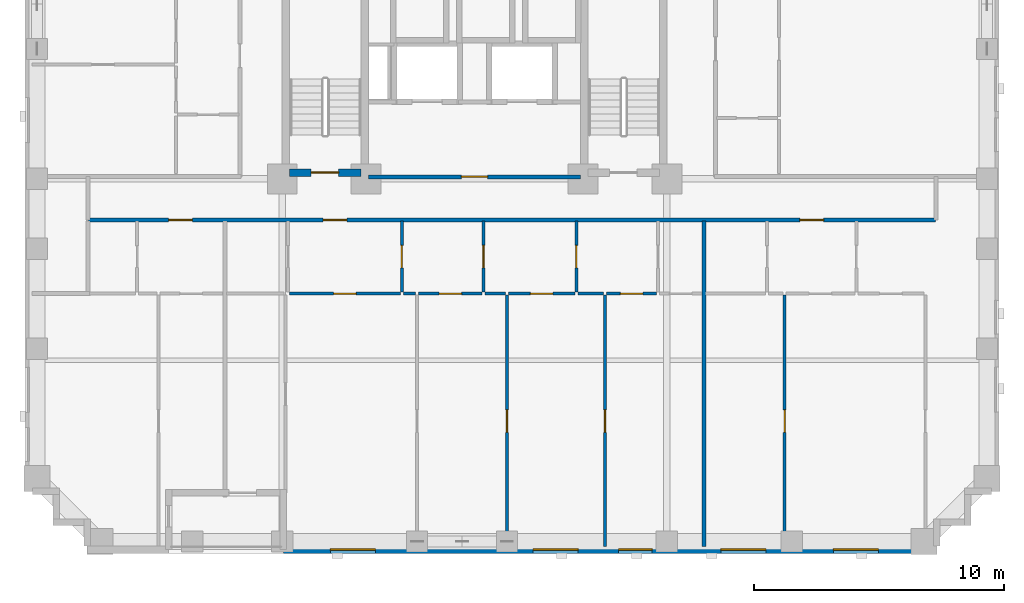
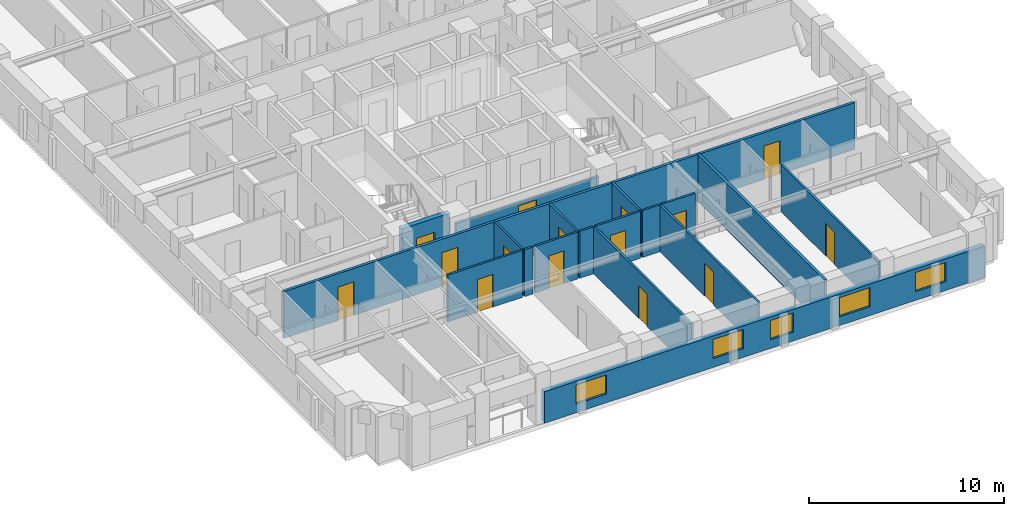
# One storey, part 3 of 14: 18 walls, 15 doors, 5 windows, 20 openings.
"""IFC4 building model written with IfcOpenShell, lengths in metres."""

from ifc_helpers import new_model, si_unit, derived_unit, direction, frame, frame_2d, origin, place, context, subcontext, project, spatial, rectangle, extrude, material, layer, layer_set, type_object, element, fill, save


model = new_model("IFC4")

# Units and contexts
model_context = context("Model", 3, precision=1e-05, world=origin(), true_north=direction((0.0, 1.0)))
body_context = subcontext(model_context, "Body", "Model", "MODEL_VIEW")
ifc_project = project(units=[si_unit("LENGTHUNIT", "METRE"), si_unit("AREAUNIT", "SQUARE_METRE"), si_unit("VOLUMEUNIT", "CUBIC_METRE"), si_unit("PLANEANGLEUNIT", "RADIAN"), si_unit("MASSUNIT", "GRAM", prefix="KILO"), derived_unit("THERMALTRANSMITTANCEUNIT", [(si_unit("MASSUNIT", "GRAM", prefix="KILO"), 1), (si_unit("TIMEUNIT", "SECOND"), -3), (si_unit("THERMODYNAMICTEMPERATUREUNIT", "KELVIN"), -1)])], contexts=[model_context])

# Site, building, storey
site_placement = place(None, origin())
site = spatial("IfcSite", under=ifc_project, at=site_placement, CompositionType="ELEMENT")
building_placement = place(site_placement, origin())
building = spatial("IfcBuilding", under=site, at=building_placement, Name="Korrvale Station Residences", CompositionType="ELEMENT")
storey_placement = place(building_placement, frame((0.0, 0.0, 51.39990234375)))
storey = spatial("IfcBuildingStorey", under=building, at=storey_placement, Name="L13", CompositionType="ELEMENT", Elevation=51.39990234375)

# Wall, opening, door
ifc_material_1 = material(Name="Concrete C70/85", Category="concrete")
ifc_layer_1 = layer(ifc_material_1, 0.300048828125, Name="Concrete C70/85")
ifc_layer_set_1 = layer_set([ifc_layer_1], Name="Concrete C70/85")
wall_type_1 = type_object("IfcWallType", Name="WAL-CORE-300-C70", PredefinedType="SHEAR", material=ifc_layer_set_1)
wall_1_placement = place(storey_placement, frame((18.10009765625, 15.25, 0.0), z_axis=(0.0, 0.0, 1.0), x_axis=(1.0, 0.0, 0.0)))
wall_1 = element("IfcWall", 1, at=wall_1_placement, inside=storey, type_object=wall_type_1, Name="L13 ST-1 Core Shear Wall South", PredefinedType="SHEAR", context=body_context, shape_type="SweptSolid", body=[
    extrude(rectangle(XDim=2.849853515625, YDim=0.300048828125, at=frame_2d((1.4248046875, 0.0))), origin(), (0.0, 0.0, 1.0), 2.940185546875),
])
opening_1_placement = place(wall_1_placement, frame((0.860107421875, 0.0, 0.0)))
opening_1 = element("IfcOpeningElement", 2, at=opening_1_placement, cuts=wall_1, Name="Opening SD-1100", PredefinedType="OPENING", context=body_context, shape_type="SweptSolid", body=[
    extrude(rectangle(XDim=1.10009765625, YDim=2.050048828125, at=frame_2d((0.550048828125, 1.02490234375))), frame((0.0, 0.16015625, 0.0), z_axis=(0.0, -1.0, 0.0), x_axis=(1.0, 0.0, 0.0)), (0.0, 0.0, 1.0), 0.320068359375),
])
ifc_material_2 = material(Name="Hollow-metal fire-rated stair door with closer", Category="steel")
door_type_1 = type_object("IfcDoorType", Name="DR-STAIR-1100", OperationType="NOTDEFINED", PredefinedType="DOOR", material=ifc_material_2)
door_1_placement = place(opening_1_placement, origin())
door_1 = element("IfcDoor", 3, at=door_1_placement, inside=storey, type_object=door_type_1, Name="L13 ST-1 Exit Stair Door", OperationType="SINGLE_SWING_LEFT", OverallHeight=2.050048828125, OverallWidth=1.10009765625, PredefinedType="DOOR", context=body_context, shape_type="SweptSolid", body=[
    extrude(rectangle(XDim=1.10009765625, YDim=2.050048828125, at=frame_2d((0.550048828125, 1.02490234375))), frame((0.0, 0.02490234375, 0.0), z_axis=(0.0, -1.0, 0.0), x_axis=(1.0, 0.0, 0.0)), (0.0, 0.0, 1.0), 0.050048828125),
])
fill(opening_1, door_1)

# Wall, openings, windows
ifc_material_3 = material(Name="Precast concrete C45/55", Category="concrete")
ifc_layer_2 = layer(ifc_material_3, 0.300048828125, Name="Precast concrete C45/55")
ifc_layer_set_2 = layer_set([ifc_layer_2], Name="Precast concrete C45/55")
wall_type_2 = type_object("IfcWallType", Name="WAL-EXT-PC300", PredefinedType="SOLIDWALL", material=ifc_layer_set_2)
wall_2_placement = place(storey_placement, frame((44.0, 0.14990234375, 0.0), z_axis=(0.0, 0.0, 1.0), x_axis=(-1.0, 0.0, 0.0)))
wall_2 = element("IfcWall", 4, at=wall_2_placement, inside=storey, type_object=wall_type_2, Name="L13 South Exterior Precast Wall 1", PredefinedType="SOLIDWALL", context=body_context, shape_type="SweptSolid", body=[
    extrude(rectangle(XDim=26.14990234375, YDim=0.300048828125, at=frame_2d((13.074951171875, 0.0))), origin(), (0.0, 0.0, 1.0), 1.97509765625),
])
opening_2_placement = place(wall_2_placement, frame((22.469970703125, 0.0, 0.550048828125)))
opening_2 = element("IfcOpeningElement", 5, at=opening_2_placement, cuts=wall_2, Name="Opening W-09", PredefinedType="OPENING", context=body_context, shape_type="SweptSolid", body=[
    extrude(rectangle(XDim=1.800048828125, YDim=1.199951171875, at=frame_2d((0.89990234375, 0.60009765625))), frame((0.0, 0.16015625, 0.0), z_axis=(0.0, -1.0, 0.0), x_axis=(1.0, 0.0, 0.0)), (0.0, 0.0, 1.0), 0.320068359375),
])
opening_3_placement = place(wall_2_placement, frame((14.35400390625, 0.0, 0.550048828125)))
opening_3 = element("IfcOpeningElement", 6, at=opening_3_placement, cuts=wall_2, Name="Opening W-09", PredefinedType="OPENING", context=body_context, shape_type="SweptSolid", body=[
    extrude(rectangle(XDim=1.800048828125, YDim=1.199951171875, at=frame_2d((0.89990234375, 0.60009765625))), frame((0.0, 0.16015625, 0.0), z_axis=(0.0, -1.0, 0.0), x_axis=(1.0, 0.0, 0.0)), (0.0, 0.0, 1.0), 0.320068359375),
])
opening_4_placement = place(wall_2_placement, frame((11.385009765625, 0.0, 0.550048828125)))
opening_4 = element("IfcOpeningElement", 7, at=opening_4_placement, cuts=wall_2, Name="Opening W-10", PredefinedType="OPENING", context=body_context, shape_type="SweptSolid", body=[
    extrude(rectangle(XDim=1.35009765625, YDim=1.199951171875, at=frame_2d((0.675048828125, 0.60009765625))), frame((0.0, 0.16015625, 0.0), z_axis=(0.0, -1.0, 0.0), x_axis=(1.0, 0.0, 0.0)), (0.0, 0.0, 1.0), 0.320068359375),
])
opening_5_placement = place(wall_2_placement, frame((6.839111328125, 0.0, 0.550048828125)))
opening_5 = element("IfcOpeningElement", 8, at=opening_5_placement, cuts=wall_2, Name="Opening W-09", PredefinedType="OPENING", context=body_context, shape_type="SweptSolid", body=[
    extrude(rectangle(XDim=1.800048828125, YDim=1.199951171875, at=frame_2d((0.89990234375, 0.60009765625))), frame((0.0, 0.16015625, 0.0), z_axis=(0.0, -1.0, 0.0), x_axis=(1.0, 0.0, 0.0)), (0.0, 0.0, 1.0), 0.320068359375),
])
opening_6_placement = place(wall_2_placement, frame((2.33203125, 0.0, 0.550048828125)))
opening_6 = element("IfcOpeningElement", 9, at=opening_6_placement, cuts=wall_2, Name="Opening W-09", PredefinedType="OPENING", context=body_context, shape_type="SweptSolid", body=[
    extrude(rectangle(XDim=1.800048828125, YDim=1.199951171875, at=frame_2d((0.89990234375, 0.60009765625))), frame((0.0, 0.16015625, 0.0), z_axis=(0.0, -1.0, 0.0), x_axis=(1.0, 0.0, 0.0)), (0.0, 0.0, 1.0), 0.320068359375),
])
ifc_material_4 = material(Name="Thermally broken aluminium frame with triple low-e glazing", Category="aluminium")
window_type_1 = type_object("IfcWindowType", Name="WIN-W09", PartitioningType="DOUBLE_PANEL_VERTICAL", PredefinedType="WINDOW", material=ifc_material_4)
window_1_placement = place(opening_2_placement, origin())
window_1 = element("IfcWindow", 10, at=window_1_placement, inside=storey, type_object=window_type_1, Name="L13 Punched Window 04", OverallHeight=1.199951171875, OverallWidth=1.800048828125, PartitioningType="DOUBLE_PANEL_VERTICAL", PredefinedType="WINDOW", context=body_context, shape_type="SweptSolid", body=[
    extrude(rectangle(XDim=1.800048828125, YDim=1.199951171875, at=frame_2d((0.89990234375, 0.60009765625))), frame((0.0, 0.030029296875, 0.0), z_axis=(0.0, -1.0, 0.0), x_axis=(1.0, 0.0, 0.0)), (0.0, 0.0, 1.0), 0.06005859375),
])
fill(opening_2, window_1)
window_2_placement = place(opening_3_placement, origin())
window_2 = element("IfcWindow", 11, at=window_2_placement, inside=storey, type_object=window_type_1, Name="L13 Punched Window 05", OverallHeight=1.199951171875, OverallWidth=1.800048828125, PartitioningType="DOUBLE_PANEL_VERTICAL", PredefinedType="WINDOW", context=body_context, shape_type="SweptSolid", body=[
    extrude(rectangle(XDim=1.800048828125, YDim=1.199951171875, at=frame_2d((0.89990234375, 0.60009765625))), frame((0.0, 0.030029296875, 0.0), z_axis=(0.0, -1.0, 0.0), x_axis=(1.0, 0.0, 0.0)), (0.0, 0.0, 1.0), 0.06005859375),
])
fill(opening_3, window_2)
window_3_placement = place(opening_5_placement, origin())
window_3 = element("IfcWindow", 12, at=window_3_placement, inside=storey, type_object=window_type_1, Name="L13 Punched Window 07", OverallHeight=1.199951171875, OverallWidth=1.800048828125, PartitioningType="DOUBLE_PANEL_VERTICAL", PredefinedType="WINDOW", context=body_context, shape_type="SweptSolid", body=[
    extrude(rectangle(XDim=1.800048828125, YDim=1.199951171875, at=frame_2d((0.89990234375, 0.60009765625))), frame((0.0, 0.030029296875, 0.0), z_axis=(0.0, -1.0, 0.0), x_axis=(1.0, 0.0, 0.0)), (0.0, 0.0, 1.0), 0.06005859375),
])
fill(opening_5, window_3)
window_4_placement = place(opening_6_placement, origin())
window_4 = element("IfcWindow", 13, at=window_4_placement, inside=storey, type_object=window_type_1, Name="L13 Punched Window 08", OverallHeight=1.199951171875, OverallWidth=1.800048828125, PartitioningType="DOUBLE_PANEL_VERTICAL", PredefinedType="WINDOW", context=body_context, shape_type="SweptSolid", body=[
    extrude(rectangle(XDim=1.800048828125, YDim=1.199951171875, at=frame_2d((0.89990234375, 0.60009765625))), frame((0.0, 0.030029296875, 0.0), z_axis=(0.0, -1.0, 0.0), x_axis=(1.0, 0.0, 0.0)), (0.0, 0.0, 1.0), 0.06005859375),
])
fill(opening_6, window_4)
window_type_2 = type_object("IfcWindowType", Name="WIN-W10", PartitioningType="SINGLE_PANEL", PredefinedType="WINDOW", material=ifc_material_4)
window_5_placement = place(opening_4_placement, origin())
window_5 = element("IfcWindow", 14, at=window_5_placement, inside=storey, type_object=window_type_2, Name="L13 Punched Window 06", OverallHeight=1.199951171875, OverallWidth=1.35009765625, PartitioningType="SINGLE_PANEL", PredefinedType="WINDOW", context=body_context, shape_type="SweptSolid", body=[
    extrude(rectangle(XDim=1.35009765625, YDim=1.199951171875, at=frame_2d((0.675048828125, 0.60009765625))), frame((0.0, 0.030029296875, 0.0), z_axis=(0.0, -1.0, 0.0), x_axis=(1.0, 0.0, 0.0)), (0.0, 0.0, 1.0), 0.06005859375),
])
fill(opening_4, window_5)

# Wall, opening, door
ifc_material_5 = material(Name="Acoustic steel-stud gypsum board partition", Category="steel")
ifc_layer_3 = layer(ifc_material_5, 0.1201171875, Name="Acoustic steel-stud gypsum board partition")
ifc_layer_set_3 = layer_set([ifc_layer_3], Name="Acoustic steel-stud gypsum board partition")
wall_type_3 = type_object("IfcWallType", Name="WAL-PART-125", PredefinedType="PARTITIONING", material=ifc_layer_set_3)
wall_3_placement = place(storey_placement, frame((22.5859375, 10.4599609375, 0.0), z_axis=(0.0, 0.0, 1.0), x_axis=(0.0, 1.0, 0.0)))
wall_3 = element("IfcWall", 15, at=wall_3_placement, inside=storey, type_object=wall_type_3, Name="L13 Suite Partition U02-V12", PredefinedType="PARTITIONING", context=body_context, shape_type="SweptSolid", body=[
    extrude(rectangle(XDim=2.85009765625, YDim=0.1201171875, at=frame_2d((1.425048828125, 0.0))), origin(), (0.0, 0.0, 1.0), 2.940185546875),
])
opening_7_placement = place(wall_3_placement, frame((0.97509765625, 0.0, 0.0)))
opening_7 = element("IfcOpeningElement", 16, at=opening_7_placement, cuts=wall_3, Name="Opening DI-900", PredefinedType="OPENING", context=body_context, shape_type="SweptSolid", body=[
    extrude(rectangle(XDim=0.89990234375, YDim=2.050048828125, at=frame_2d((0.449951171875, 1.02490234375))), frame((0.0, 0.070068359375, 0.0), z_axis=(0.0, -1.0, 0.0), x_axis=(1.0, 0.0, 0.0)), (0.0, 0.0, 1.0), 0.14013671875),
])
ifc_material_6 = material(Name="Painted solid-core timber interior room door", Category="wood")
door_type_2 = type_object("IfcDoorType", Name="DR-INT-900", OperationType="NOTDEFINED", PredefinedType="DOOR", material=ifc_material_6)
door_2_placement = place(opening_7_placement, origin())
door_2 = element("IfcDoor", 17, at=door_2_placement, inside=storey, type_object=door_type_2, Name="L13 Apartment 2BR L13-U02 Kitchen Door", OperationType="SINGLE_SWING_LEFT", OverallHeight=2.050048828125, OverallWidth=0.89990234375, PredefinedType="DOOR", context=body_context, shape_type="SweptSolid", body=[
    extrude(rectangle(XDim=0.89990234375, YDim=2.050048828125, at=frame_2d((0.449951171875, 1.02490234375))), frame((0.0, 0.02490234375, 0.0), z_axis=(0.0, -1.0, 0.0), x_axis=(1.0, 0.0, 0.0)), (0.0, 0.0, 1.0), 0.050048828125),
])
fill(opening_7, door_2)

wall_4_placement = place(storey_placement, frame((18.0859375, 10.39990234375, 0.0), z_axis=(0.0, 0.0, 1.0), x_axis=(1.0, 0.0, 0.0)))
wall_4 = element("IfcWall", 18, at=wall_4_placement, inside=storey, type_object=wall_type_3, Name="L13 Suite Partition U02-H17", PredefinedType="PARTITIONING", context=body_context, shape_type="SweptSolid", body=[
    extrude(rectangle(XDim=4.43994140625, YDim=0.1201171875, at=frame_2d((2.219970703125, 0.0))), origin(), (0.0, 0.0, 1.0), 2.940185546875),
])
opening_8_placement = place(wall_4_placement, frame((1.77001953125, 0.0, 0.0)))
opening_8 = element("IfcOpeningElement", 19, at=opening_8_placement, cuts=wall_4, Name="Opening DI-900", PredefinedType="OPENING", context=body_context, shape_type="SweptSolid", body=[
    extrude(rectangle(XDim=0.89990234375, YDim=2.050048828125, at=frame_2d((0.449951171875, 1.02490234375))), frame((0.0, 0.070068359375, 0.0), z_axis=(0.0, -1.0, 0.0), x_axis=(1.0, 0.0, 0.0)), (0.0, 0.0, 1.0), 0.14013671875),
])
door_3_placement = place(opening_8_placement, origin())
door_3 = element("IfcDoor", 20, at=door_3_placement, inside=storey, type_object=door_type_2, Name="L13 Apartment 2BR L13-U02 Kitchen Door", OperationType="SINGLE_SWING_RIGHT", OverallHeight=2.050048828125, OverallWidth=0.89990234375, PredefinedType="DOOR", context=body_context, shape_type="SweptSolid", body=[
    extrude(rectangle(XDim=0.89990234375, YDim=2.050048828125, at=frame_2d((0.449951171875, 1.02490234375))), frame((0.0, 0.02490234375, 0.0), z_axis=(0.0, -1.0, 0.0), x_axis=(1.0, 0.0, 0.0)), (0.0, 0.0, 1.0), 0.050048828125),
])
fill(opening_8, door_3)

wall_5_placement = place(storey_placement, frame((25.85595703125, 10.4599609375, 0.0), z_axis=(0.0, 0.0, 1.0), x_axis=(0.0, 1.0, 0.0)))
wall_5 = element("IfcWall", 21, at=wall_5_placement, inside=storey, type_object=wall_type_3, Name="L13 Suite Partition U02-V23", PredefinedType="PARTITIONING", context=body_context, shape_type="SweptSolid", body=[
    extrude(rectangle(XDim=2.85009765625, YDim=0.1201171875, at=frame_2d((1.425048828125, 0.0))), origin(), (0.0, 0.0, 1.0), 2.940185546875),
])
opening_9_placement = place(wall_5_placement, frame((0.97509765625, 0.0, 0.0)))
opening_9 = element("IfcOpeningElement", 22, at=opening_9_placement, cuts=wall_5, Name="Opening DI-900", PredefinedType="OPENING", context=body_context, shape_type="SweptSolid", body=[
    extrude(rectangle(XDim=0.89990234375, YDim=2.050048828125, at=frame_2d((0.449951171875, 1.02490234375))), frame((0.0, 0.070068359375, 0.0), z_axis=(0.0, -1.0, 0.0), x_axis=(1.0, 0.0, 0.0)), (0.0, 0.0, 1.0), 0.14013671875),
])
door_4_placement = place(opening_9_placement, origin())
door_4 = element("IfcDoor", 23, at=door_4_placement, inside=storey, type_object=door_type_2, Name="L13 Apartment 2BR L13-U02 Utility and Laundry Room Door", OperationType="SINGLE_SWING_LEFT", OverallHeight=2.050048828125, OverallWidth=0.89990234375, PredefinedType="DOOR", context=body_context, shape_type="SweptSolid", body=[
    extrude(rectangle(XDim=0.89990234375, YDim=2.050048828125, at=frame_2d((0.449951171875, 1.02490234375))), frame((0.0, 0.02490234375, 0.0), z_axis=(0.0, -1.0, 0.0), x_axis=(1.0, 0.0, 0.0)), (0.0, 0.0, 1.0), 0.050048828125),
])
fill(opening_9, door_4)

# Wall
wall_6_placement = place(storey_placement, frame((22.64599609375, 10.39990234375, 0.0), z_axis=(0.0, 0.0, 1.0), x_axis=(1.0, 0.0, 0.0)))
element("IfcWall", 24, at=wall_6_placement, inside=storey, type_object=wall_type_3, Name="L13 Suite Partition U02-H27", PredefinedType="PARTITIONING", context=body_context, shape_type="SweptSolid", body=[
    extrude(rectangle(XDim=0.493896484375, YDim=0.1201171875, at=frame_2d((0.2470703125, 0.0))), origin(), (0.0, 0.0, 1.0), 2.940185546875),
])

# Wall, opening, door
wall_7_placement = place(storey_placement, frame((23.260009765625, 10.39990234375, 0.0), z_axis=(0.0, 0.0, 1.0), x_axis=(1.0, 0.0, 0.0)))
wall_7 = element("IfcWall", 25, at=wall_7_placement, inside=storey, type_object=wall_type_3, Name="L13 Suite Partition U02-H28", PredefinedType="PARTITIONING", context=body_context, shape_type="SweptSolid", body=[
    extrude(rectangle(XDim=2.535888671875, YDim=0.1201171875, at=frame_2d((1.26806640625, 0.0))), origin(), (0.0, 0.0, 1.0), 2.940185546875),
])
opening_10_placement = place(wall_7_placement, frame((0.818115234375, 0.0, 0.0)))
opening_10 = element("IfcOpeningElement", 26, at=opening_10_placement, cuts=wall_7, Name="Opening DI-900", PredefinedType="OPENING", context=body_context, shape_type="SweptSolid", body=[
    extrude(rectangle(XDim=0.89990234375, YDim=2.050048828125, at=frame_2d((0.449951171875, 1.02490234375))), frame((0.0, 0.070068359375, 0.0), z_axis=(0.0, -1.0, 0.0), x_axis=(1.0, 0.0, 0.0)), (0.0, 0.0, 1.0), 0.14013671875),
])
door_5_placement = place(opening_10_placement, origin())
door_5 = element("IfcDoor", 27, at=door_5_placement, inside=storey, type_object=door_type_2, Name="L13 Apartment 2BR L13-U02 Utility and Laundry Room Door", OperationType="SINGLE_SWING_RIGHT", OverallHeight=2.050048828125, OverallWidth=0.89990234375, PredefinedType="DOOR", context=body_context, shape_type="SweptSolid", body=[
    extrude(rectangle(XDim=0.89990234375, YDim=2.050048828125, at=frame_2d((0.449951171875, 1.02490234375))), frame((0.0, 0.02490234375, 0.0), z_axis=(0.0, -1.0, 0.0), x_axis=(1.0, 0.0, 0.0)), (0.0, 0.0, 1.0), 0.050048828125),
])
fill(opening_10, door_5)

wall_8_placement = place(storey_placement, frame((29.575927734375, 10.4599609375, 0.0), z_axis=(0.0, 0.0, 1.0), x_axis=(0.0, 1.0, 0.0)))
wall_8 = element("IfcWall", 28, at=wall_8_placement, inside=storey, type_object=wall_type_3, Name="L13 Suite Partition U02-V34", PredefinedType="PARTITIONING", context=body_context, shape_type="SweptSolid", body=[
    extrude(rectangle(XDim=2.85009765625, YDim=0.1201171875, at=frame_2d((1.425048828125, 0.0))), origin(), (0.0, 0.0, 1.0), 2.940185546875),
])
opening_11_placement = place(wall_8_placement, frame((0.97509765625, 0.0, 0.0)))
opening_11 = element("IfcOpeningElement", 29, at=opening_11_placement, cuts=wall_8, Name="Opening DI-900", PredefinedType="OPENING", context=body_context, shape_type="SweptSolid", body=[
    extrude(rectangle(XDim=0.89990234375, YDim=2.050048828125, at=frame_2d((0.449951171875, 1.02490234375))), frame((0.0, 0.070068359375, 0.0), z_axis=(0.0, -1.0, 0.0), x_axis=(1.0, 0.0, 0.0)), (0.0, 0.0, 1.0), 0.14013671875),
])
door_6_placement = place(opening_11_placement, origin())
door_6 = element("IfcDoor", 30, at=door_6_placement, inside=storey, type_object=door_type_2, Name="L13 Apartment 2BR L13-U02 Storage Closet 2 Door", OperationType="SINGLE_SWING_LEFT", OverallHeight=2.050048828125, OverallWidth=0.89990234375, PredefinedType="DOOR", context=body_context, shape_type="SweptSolid", body=[
    extrude(rectangle(XDim=0.89990234375, YDim=2.050048828125, at=frame_2d((0.449951171875, 1.02490234375))), frame((0.0, 0.02490234375, 0.0), z_axis=(0.0, -1.0, 0.0), x_axis=(1.0, 0.0, 0.0)), (0.0, 0.0, 1.0), 0.050048828125),
])
fill(opening_11, door_6)

# Wall
wall_9_placement = place(storey_placement, frame((25.916015625, 10.39990234375, 0.0), z_axis=(0.0, 0.0, 1.0), x_axis=(1.0, 0.0, 0.0)))
element("IfcWall", 31, at=wall_9_placement, inside=storey, type_object=wall_type_3, Name="L13 Suite Partition U02-H38", PredefinedType="PARTITIONING", context=body_context, shape_type="SweptSolid", body=[
    extrude(rectangle(XDim=0.823974609375, YDim=0.1201171875, at=frame_2d((0.412109375, 0.0))), origin(), (0.0, 0.0, 1.0), 2.940185546875),
])

# Wall, opening, door
wall_10_placement = place(storey_placement, frame((26.860107421875, 10.39990234375, 0.0), z_axis=(0.0, 0.0, 1.0), x_axis=(1.0, 0.0, 0.0)))
wall_10 = element("IfcWall", 32, at=wall_10_placement, inside=storey, type_object=wall_type_3, Name="L13 Suite Partition U02-H39", PredefinedType="PARTITIONING", context=body_context, shape_type="SweptSolid", body=[
    extrude(rectangle(XDim=2.656005859375, YDim=0.1201171875, at=frame_2d((1.328125, 0.0))), origin(), (0.0, 0.0, 1.0), 2.940185546875),
])
opening_12_placement = place(wall_10_placement, frame((0.8779296875, 0.0, 0.0)))
opening_12 = element("IfcOpeningElement", 33, at=opening_12_placement, cuts=wall_10, Name="Opening DI-900", PredefinedType="OPENING", context=body_context, shape_type="SweptSolid", body=[
    extrude(rectangle(XDim=0.89990234375, YDim=2.050048828125, at=frame_2d((0.449951171875, 1.02490234375))), frame((0.0, 0.070068359375, 0.0), z_axis=(0.0, -1.0, 0.0), x_axis=(1.0, 0.0, 0.0)), (0.0, 0.0, 1.0), 0.14013671875),
])
door_7_placement = place(opening_12_placement, origin())
door_7 = element("IfcDoor", 34, at=door_7_placement, inside=storey, type_object=door_type_2, Name="L13 Apartment 2BR L13-U02 Storage Closet 2 Door", OperationType="SINGLE_SWING_RIGHT", OverallHeight=2.050048828125, OverallWidth=0.89990234375, PredefinedType="DOOR", context=body_context, shape_type="SweptSolid", body=[
    extrude(rectangle(XDim=0.89990234375, YDim=2.050048828125, at=frame_2d((0.449951171875, 1.02490234375))), frame((0.0, 0.02490234375, 0.0), z_axis=(0.0, -1.0, 0.0), x_axis=(1.0, 0.0, 0.0)), (0.0, 0.0, 1.0), 0.050048828125),
])
fill(opening_12, door_7)

# Wall
wall_11_placement = place(storey_placement, frame((29.635986328125, 10.39990234375, 0.0), z_axis=(0.0, 0.0, 1.0), x_axis=(1.0, 0.0, 0.0)))
element("IfcWall", 35, at=wall_11_placement, inside=storey, type_object=wall_type_3, Name="L13 Suite Partition U02-H49", PredefinedType="PARTITIONING", context=body_context, shape_type="SweptSolid", body=[
    extrude(rectangle(XDim=1.031982421875, YDim=0.1201171875, at=frame_2d((0.51611328125, 0.0))), origin(), (0.0, 0.0, 1.0), 2.940185546875),
])

# Wall, opening, door
wall_12_placement = place(storey_placement, frame((30.7880859375, 10.39990234375, 0.0), z_axis=(0.0, 0.0, 1.0), x_axis=(1.0, 0.0, 0.0)))
wall_12 = element("IfcWall", 36, at=wall_12_placement, inside=storey, type_object=wall_type_3, Name="L13 Suite Partition U02-H410", PredefinedType="PARTITIONING", context=body_context, shape_type="SweptSolid", body=[
    extrude(rectangle(XDim=1.997802734375, YDim=0.1201171875, at=frame_2d((0.9990234375, 0.0))), origin(), (0.0, 0.0, 1.0), 2.940185546875),
])
opening_13_placement = place(wall_12_placement, frame((0.549072265625, 0.0, 0.0)))
opening_13 = element("IfcOpeningElement", 37, at=opening_13_placement, cuts=wall_12, Name="Opening DI-900", PredefinedType="OPENING", context=body_context, shape_type="SweptSolid", body=[
    extrude(rectangle(XDim=0.89990234375, YDim=2.050048828125, at=frame_2d((0.449951171875, 1.02490234375))), frame((0.0, 0.070068359375, 0.0), z_axis=(0.0, -1.0, 0.0), x_axis=(1.0, 0.0, 0.0)), (0.0, 0.0, 1.0), 0.14013671875),
])
door_8_placement = place(opening_13_placement, origin())
door_8 = element("IfcDoor", 38, at=door_8_placement, inside=storey, type_object=door_type_2, Name="L13 Apartment 2BR L13-U02 Storage Closet 3 Door", OperationType="SINGLE_SWING_RIGHT", OverallHeight=2.050048828125, OverallWidth=0.89990234375, PredefinedType="DOOR", context=body_context, shape_type="SweptSolid", body=[
    extrude(rectangle(XDim=0.89990234375, YDim=2.050048828125, at=frame_2d((0.449951171875, 1.02490234375))), frame((0.0, 0.02490234375, 0.0), z_axis=(0.0, -1.0, 0.0), x_axis=(1.0, 0.0, 0.0)), (0.0, 0.0, 1.0), 0.050048828125),
])
fill(opening_13, door_8)

wall_13_placement = place(storey_placement, frame((26.800048828125, 0.280029296875, 0.0), z_axis=(0.0, 0.0, 1.0), x_axis=(0.0, 1.0, 0.0)))
wall_13 = element("IfcWall", 39, at=wall_13_placement, inside=storey, type_object=wall_type_3, Name="L13 Suite Partition U02-V89", PredefinedType="PARTITIONING", context=body_context, shape_type="SweptSolid", body=[
    extrude(rectangle(XDim=10.06005859375, YDim=0.1201171875, at=frame_2d((5.030029296875, 0.0))), origin(), (0.0, 0.0, 1.0), 2.940185546875),
])
opening_14_placement = place(wall_13_placement, frame((4.56494140625, 0.0, 0.0)))
opening_14 = element("IfcOpeningElement", 40, at=opening_14_placement, cuts=wall_13, Name="Opening DI-900", PredefinedType="OPENING", context=body_context, shape_type="SweptSolid", body=[
    extrude(rectangle(XDim=0.89990234375, YDim=2.050048828125, at=frame_2d((0.449951171875, 1.02490234375))), frame((0.0, 0.070068359375, 0.0), z_axis=(0.0, -1.0, 0.0), x_axis=(1.0, 0.0, 0.0)), (0.0, 0.0, 1.0), 0.14013671875),
])
door_9_placement = place(opening_14_placement, origin())
door_9 = element("IfcDoor", 41, at=door_9_placement, inside=storey, type_object=door_type_2, Name="L13 Apartment 2BR L13-U02 Wardrobe Storage Room Door", OperationType="SINGLE_SWING_RIGHT", OverallHeight=2.050048828125, OverallWidth=0.89990234375, PredefinedType="DOOR", context=body_context, shape_type="SweptSolid", body=[
    extrude(rectangle(XDim=0.89990234375, YDim=2.050048828125, at=frame_2d((0.449951171875, 1.02490234375))), frame((0.0, 0.02490234375, 0.0), z_axis=(0.0, -1.0, 0.0), x_axis=(1.0, 0.0, 0.0)), (0.0, 0.0, 1.0), 0.050048828125),
])
fill(opening_14, door_9)

wall_14_placement = place(storey_placement, frame((30.72802734375, 0.280029296875, 0.0), z_axis=(0.0, 0.0, 1.0), x_axis=(0.0, 1.0, 0.0)))
wall_14 = element("IfcWall", 42, at=wall_14_placement, inside=storey, type_object=wall_type_3, Name="L13 Suite Partition U02-V910", PredefinedType="PARTITIONING", context=body_context, shape_type="SweptSolid", body=[
    extrude(rectangle(XDim=10.06005859375, YDim=0.1201171875, at=frame_2d((5.030029296875, 0.0))), origin(), (0.0, 0.0, 1.0), 2.940185546875),
])
opening_15_placement = place(wall_14_placement, frame((4.56494140625, 0.0, 0.0)))
opening_15 = element("IfcOpeningElement", 43, at=opening_15_placement, cuts=wall_14, Name="Opening DI-900", PredefinedType="OPENING", context=body_context, shape_type="SweptSolid", body=[
    extrude(rectangle(XDim=0.89990234375, YDim=2.050048828125, at=frame_2d((0.449951171875, 1.02490234375))), frame((0.0, 0.070068359375, 0.0), z_axis=(0.0, -1.0, 0.0), x_axis=(1.0, 0.0, 0.0)), (0.0, 0.0, 1.0), 0.14013671875),
])
door_10_placement = place(opening_15_placement, origin())
door_10 = element("IfcDoor", 44, at=door_10_placement, inside=storey, type_object=door_type_2, Name="L13 Apartment 2BR L13-U02 Bedroom 1 Door", OperationType="SINGLE_SWING_LEFT", OverallHeight=2.050048828125, OverallWidth=0.89990234375, PredefinedType="DOOR", context=body_context, shape_type="SweptSolid", body=[
    extrude(rectangle(XDim=0.89990234375, YDim=2.050048828125, at=frame_2d((0.449951171875, 1.02490234375))), frame((0.0, 0.02490234375, 0.0), z_axis=(0.0, -1.0, 0.0), x_axis=(1.0, 0.0, 0.0)), (0.0, 0.0, 1.0), 0.050048828125),
])
fill(opening_15, door_10)

wall_15_placement = place(storey_placement, frame((37.916015625, 0.280029296875, 0.0), z_axis=(0.0, 0.0, 1.0), x_axis=(0.0, 1.0, 0.0)))
wall_15 = element("IfcWall", 45, at=wall_15_placement, inside=storey, type_object=wall_type_3, Name="L13 Suite Partition U03-V34", PredefinedType="PARTITIONING", context=body_context, shape_type="SweptSolid", body=[
    extrude(rectangle(XDim=10.06005859375, YDim=0.1201171875, at=frame_2d((5.030029296875, 0.0))), origin(), (0.0, 0.0, 1.0), 2.940185546875),
])
opening_16_placement = place(wall_15_placement, frame((4.56494140625, 0.0, 0.0)))
opening_16 = element("IfcOpeningElement", 46, at=opening_16_placement, cuts=wall_15, Name="Opening DI-900", PredefinedType="OPENING", context=body_context, shape_type="SweptSolid", body=[
    extrude(rectangle(XDim=0.89990234375, YDim=2.050048828125, at=frame_2d((0.449951171875, 1.02490234375))), frame((0.0, 0.070068359375, 0.0), z_axis=(0.0, -1.0, 0.0), x_axis=(1.0, 0.0, 0.0)), (0.0, 0.0, 1.0), 0.14013671875),
])
door_11_placement = place(opening_16_placement, origin())
door_11 = element("IfcDoor", 47, at=door_11_placement, inside=storey, type_object=door_type_2, Name="L13 Studio Apartment L13-U03 Formal Dining Room Door", OperationType="SINGLE_SWING_RIGHT", OverallHeight=2.050048828125, OverallWidth=0.89990234375, PredefinedType="DOOR", context=body_context, shape_type="SweptSolid", body=[
    extrude(rectangle(XDim=0.89990234375, YDim=2.050048828125, at=frame_2d((0.449951171875, 1.02490234375))), frame((0.0, 0.02490234375, 0.0), z_axis=(0.0, -1.0, 0.0), x_axis=(1.0, 0.0, 0.0)), (0.0, 0.0, 1.0), 0.050048828125),
])
fill(opening_16, door_11)

ifc_material_7 = material(Name="Fire-rated twin-stud gypsum and mineral wool shaftwall assembly", Category="gypsum")
ifc_layer_4 = layer(ifc_material_7, 0.159912109375, Name="Fire-rated twin-stud gypsum and mineral wool shaftwall assembly")
ifc_layer_set_4 = layer_set([ifc_layer_4], Name="Fire-rated twin-stud gypsum and mineral wool shaftwall assembly")
wall_type_4 = type_object("IfcWallType", Name="WAL-PART-200", PredefinedType="PARTITIONING", material=ifc_layer_set_4)
wall_16_placement = place(storey_placement, frame((21.25, 15.080078125, 0.0), z_axis=(0.0, 0.0, 1.0), x_axis=(1.0, 0.0, 0.0)))
wall_16 = element("IfcWall", 48, at=wall_16_placement, inside=storey, type_object=wall_type_4, Name="L13 Core Partition CW-FFL-S", PredefinedType="PARTITIONING", context=body_context, shape_type="SweptSolid", body=[
    extrude(rectangle(XDim=8.5, YDim=0.159912109375, at=frame_2d((4.25, 0.0))), origin(), (0.0, 0.0, 1.0), 2.232177734375),
])
opening_17_placement = place(wall_16_placement, frame((3.72509765625, 0.0, 0.0)))
opening_17 = element("IfcOpeningElement", 49, at=opening_17_placement, cuts=wall_16, Name="Opening FD-1050", PredefinedType="OPENING", context=body_context, shape_type="SweptSolid", body=[
    extrude(rectangle(XDim=1.050048828125, YDim=2.050048828125, at=frame_2d((0.52490234375, 1.02490234375))), frame((0.0, 0.08984375, 0.0), z_axis=(0.0, -1.0, 0.0), x_axis=(1.0, 0.0, 0.0)), (0.0, 0.0, 1.0), 0.179931640625),
])
ifc_material_8 = material(Name="Fire-rated mineral-core timber lobby door", Category="wood")
door_type_3 = type_object("IfcDoorType", Name="DR-CORE-1050", OperationType="NOTDEFINED", PredefinedType="DOOR", material=ifc_material_8)
door_12_placement = place(opening_17_placement, origin())
door_12 = element("IfcDoor", 50, at=door_12_placement, inside=storey, type_object=door_type_3, Name="L13 Firefighting Lobby Entry Door", OperationType="SINGLE_SWING_RIGHT", OverallHeight=2.050048828125, OverallWidth=1.050048828125, PredefinedType="DOOR", context=body_context, shape_type="SweptSolid", body=[
    extrude(rectangle(XDim=1.050048828125, YDim=2.050048828125, at=frame_2d((0.52490234375, 1.02490234375))), frame((0.0, 0.02490234375, 0.0), z_axis=(0.0, -1.0, 0.0), x_axis=(1.0, 0.0, 0.0)), (0.0, 0.0, 1.0), 0.050048828125),
])
fill(opening_17, door_12)

# Wall
wall_17_placement = place(storey_placement, frame((34.696044921875, 0.280029296875, 0.0), z_axis=(0.0, 0.0, 1.0), x_axis=(0.0, 1.0, 0.0)))
element("IfcWall", 51, at=wall_17_placement, inside=storey, type_object=wall_type_4, Name="L13 Demising Wall U03-W", PredefinedType="PARTITIONING", context=body_context, shape_type="SweptSolid", body=[
    extrude(rectangle(XDim=13.030029296875, YDim=0.159912109375, at=frame_2d((6.51513671875, 0.0))), origin(), (0.0, 0.0, 1.0), 2.940185546875),
])

# Wall, openings, doors
wall_18_placement = place(storey_placement, frame((10.050048828125, 13.35009765625, 0.0), z_axis=(0.0, 0.0, 1.0), x_axis=(1.0, 0.0, 0.0)))
wall_18 = element("IfcWall", 52, at=wall_18_placement, inside=storey, type_object=wall_type_4, Name="L13 Rated Corridor Wall S", PredefinedType="PARTITIONING", context=body_context, shape_type="SweptSolid", body=[
    extrude(rectangle(XDim=33.89990234375, YDim=0.159912109375, at=frame_2d((16.949951171875, 0.0))), origin(), (0.0, 0.0, 1.0), 2.940185546875),
])
opening_18_placement = place(wall_18_placement, frame((3.202880859375, 0.0, 0.0)))
opening_18 = element("IfcOpeningElement", 53, at=opening_18_placement, cuts=wall_18, Name="Opening UD-950", PredefinedType="OPENING", context=body_context, shape_type="SweptSolid", body=[
    extrude(rectangle(XDim=0.949951171875, YDim=2.10009765625, at=frame_2d((0.47509765625, 1.050048828125))), frame((0.0, 0.08984375, 0.0), z_axis=(0.0, -1.0, 0.0), x_axis=(1.0, 0.0, 0.0)), (0.0, 0.0, 1.0), 0.179931640625),
])
opening_19_placement = place(wall_18_placement, frame((9.389892578125, 0.0, 0.0)))
opening_19 = element("IfcOpeningElement", 54, at=opening_19_placement, cuts=wall_18, Name="Opening UD-950", PredefinedType="OPENING", context=body_context, shape_type="SweptSolid", body=[
    extrude(rectangle(XDim=0.949951171875, YDim=2.10009765625, at=frame_2d((0.47509765625, 1.050048828125))), frame((0.0, 0.08984375, 0.0), z_axis=(0.0, -1.0, 0.0), x_axis=(1.0, 0.0, 0.0)), (0.0, 0.0, 1.0), 0.179931640625),
])
opening_20_placement = place(wall_18_placement, frame((28.47607421875, 0.0, 0.0)))
opening_20 = element("IfcOpeningElement", 55, at=opening_20_placement, cuts=wall_18, Name="Opening UD-950", PredefinedType="OPENING", context=body_context, shape_type="SweptSolid", body=[
    extrude(rectangle(XDim=0.949951171875, YDim=2.10009765625, at=frame_2d((0.47509765625, 1.050048828125))), frame((0.0, 0.08984375, 0.0), z_axis=(0.0, -1.0, 0.0), x_axis=(1.0, 0.0, 0.0)), (0.0, 0.0, 1.0), 0.179931640625),
])
ifc_material_9 = material(Name="Solid-core acoustic oak apartment entrance door", Category="timber")
door_type_4 = type_object("IfcDoorType", Name="DR-UNIT-950", OperationType="NOTDEFINED", PredefinedType="DOOR", material=ifc_material_9)
door_13_placement = place(opening_18_placement, origin())
door_13 = element("IfcDoor", 56, at=door_13_placement, inside=storey, type_object=door_type_4, Name="L13 Apartment L13-U01 Entrance Door", OperationType="SINGLE_SWING_LEFT", OverallHeight=2.10009765625, OverallWidth=0.949951171875, PredefinedType="DOOR", context=body_context, shape_type="SweptSolid", body=[
    extrude(rectangle(XDim=0.949951171875, YDim=2.10009765625, at=frame_2d((0.47509765625, 1.050048828125))), frame((0.0, 0.02490234375, 0.0), z_axis=(0.0, -1.0, 0.0), x_axis=(1.0, 0.0, 0.0)), (0.0, 0.0, 1.0), 0.050048828125),
])
fill(opening_18, door_13)
door_14_placement = place(opening_19_placement, origin())
door_14 = element("IfcDoor", 57, at=door_14_placement, inside=storey, type_object=door_type_4, Name="L13 Apartment L13-U02 Entrance Door", OperationType="SINGLE_SWING_RIGHT", OverallHeight=2.10009765625, OverallWidth=0.949951171875, PredefinedType="DOOR", context=body_context, shape_type="SweptSolid", body=[
    extrude(rectangle(XDim=0.949951171875, YDim=2.10009765625, at=frame_2d((0.47509765625, 1.050048828125))), frame((0.0, 0.02490234375, 0.0), z_axis=(0.0, -1.0, 0.0), x_axis=(1.0, 0.0, 0.0)), (0.0, 0.0, 1.0), 0.050048828125),
])
fill(opening_19, door_14)
door_15_placement = place(opening_20_placement, origin())
door_15 = element("IfcDoor", 58, at=door_15_placement, inside=storey, type_object=door_type_4, Name="L13 Apartment L13-U03 Entrance Door", OperationType="SINGLE_SWING_LEFT", OverallHeight=2.10009765625, OverallWidth=0.949951171875, PredefinedType="DOOR", context=body_context, shape_type="SweptSolid", body=[
    extrude(rectangle(XDim=0.949951171875, YDim=2.10009765625, at=frame_2d((0.47509765625, 1.050048828125))), frame((0.0, 0.02490234375, 0.0), z_axis=(0.0, -1.0, 0.0), x_axis=(1.0, 0.0, 0.0)), (0.0, 0.0, 1.0), 0.050048828125),
])
fill(opening_20, door_15)

save(model, "model.ifc")
